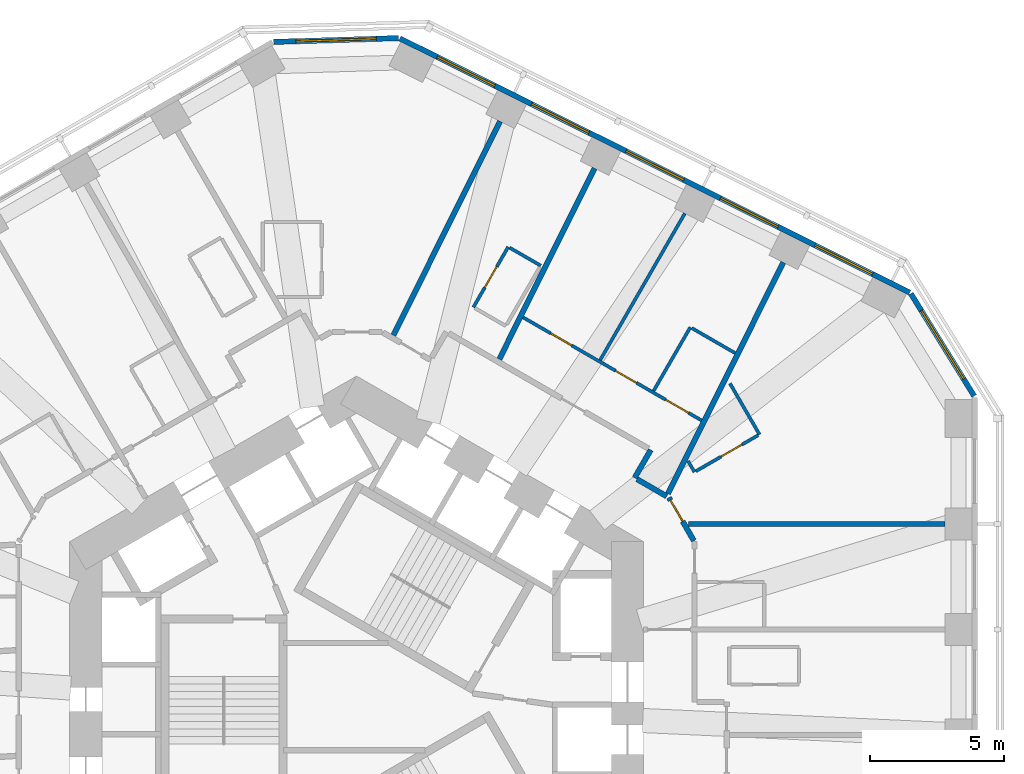
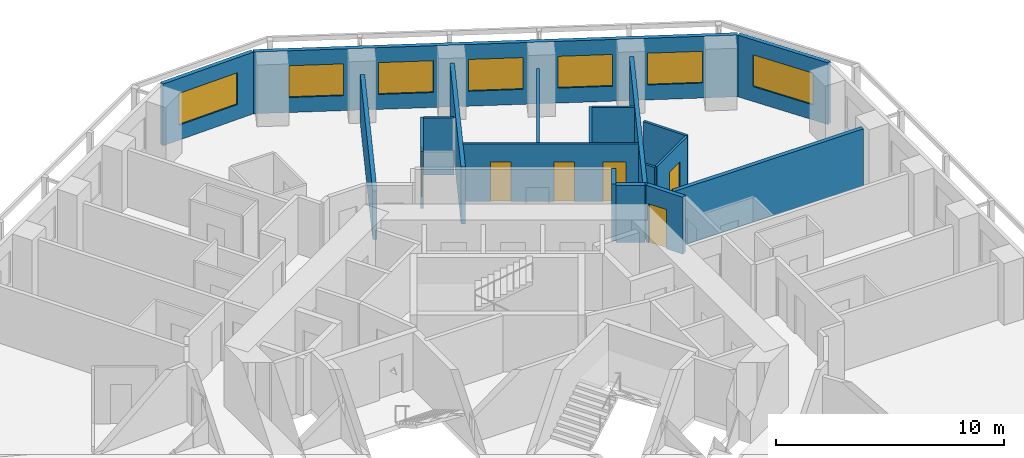
# One storey, part 9 of 12: 19 walls, 7 windows, 6 doors, 13 openings.
"""IFC4 building model written with IfcOpenShell, lengths in metres."""

from ifc_helpers import new_model, si_unit, direction, frame, frame_2d, origin, place, context, subcontext, project, spatial, rectangle, extrude, material, layer, layer_set, type_object, element, fill, save


model = new_model("IFC4")

# Units and contexts
model_context = context("Model", 3, precision=1e-05, world=origin(), true_north=direction((0.0, 1.0)))
body_context = subcontext(model_context, "Body", "Model", "MODEL_VIEW")
ifc_project = project(units=[si_unit("LENGTHUNIT", "METRE"), si_unit("AREAUNIT", "SQUARE_METRE"), si_unit("VOLUMEUNIT", "CUBIC_METRE"), si_unit("PLANEANGLEUNIT", "RADIAN"), si_unit("MASSUNIT", "GRAM", prefix="KILO")], contexts=[model_context])

# Site, building, storey
site_placement = place(None, origin())
site = spatial("IfcSite", under=ifc_project, at=site_placement, CompositionType="ELEMENT")
building_placement = place(site_placement, origin())
building = spatial("IfcBuilding", under=site, at=building_placement, Name="Vanh Sen Convention Tower", CompositionType="ELEMENT")
storey_placement = place(building_placement, frame((0.0, 0.0, 90.199951171875)))
storey = spatial("IfcBuildingStorey", under=building, at=storey_placement, Name="L20", CompositionType="ELEMENT", Elevation=90.199951171875)

# Wall, opening, door
ifc_material_1 = material(Name="Moisture-resistant gypsum board on steel studs", Category="steel")
ifc_layer_1 = layer(ifc_material_1, 0.1201171875)
ifc_layer_set_1 = layer_set([ifc_layer_1], Name="Moisture-resistant gypsum board on steel studs")
wall_type_1 = type_object("IfcWallType", Name="Bathroom partition 120", PredefinedType="PARTITIONING", material=ifc_layer_set_1)
wall_1_placement = place(storey_placement, frame((4.356201171875, 14.922119140625, 0.0), z_axis=(0.0, 0.0, 1.0), x_axis=(0.499936506574, 0.866062058628, 0.0)))
wall_1 = element("IfcWall", 1, at=wall_1_placement, inside=storey, type_object=wall_type_1, Name="Bathroom partition 120", PredefinedType="PARTITIONING", context=body_context, shape_type="SweptSolid", body=[
    extrude(rectangle(XDim=2.599853515625, YDim=0.1201171875, at=frame_2d((1.2998046875, 0.0))), origin(), (0.0, 0.0, 1.0), 3.050048828125),
])
opening_1_placement = place(wall_1_placement, frame((0.85009765625, 0.0, 0.0)))
opening_1 = element("IfcOpeningElement", 2, at=opening_1_placement, cuts=wall_1, Name="Opening D19114", PredefinedType="OPENING", context=body_context, shape_type="SweptSolid", body=[
    extrude(rectangle(XDim=0.89990234375, YDim=2.10009765625, at=frame_2d((0.449951171875, 1.050048828125))), frame((0.0, 0.070068359375, 0.0), z_axis=(0.0, -1.0, 0.0), x_axis=(1.0, 0.0, 0.0)), (0.0, 0.0, 1.0), 0.14013671875),
])
ifc_material_2 = material(Name="Laminate door in steel frame", Category="steel")
door_type_1 = type_object("IfcDoorType", Name="En-suite door 900", OperationType="SINGLE_SWING_LEFT", PredefinedType="DOOR", material=ifc_material_2)
door_1_placement = place(opening_1_placement, origin())
door_1 = element("IfcDoor", 3, at=door_1_placement, inside=storey, type_object=door_type_1, Name="En-suite door D19114", OperationType="SINGLE_SWING_LEFT", OverallHeight=2.10009765625, OverallWidth=0.89990234375, PredefinedType="DOOR", context=body_context, shape_type="SweptSolid", body=[
    extrude(rectangle(XDim=0.89990234375, YDim=2.10009765625, at=frame_2d((0.449951171875, 1.050048828125))), frame((0.0, 0.02490234375, 0.0), z_axis=(0.0, -1.0, 0.0), x_axis=(1.0, 0.0, 0.0)), (0.0, 0.0, 1.0), 0.050048828125),
])
fill(opening_1, door_1)

# Walls
wall_2_placement = place(storey_placement, frame((5.7080078125, 17.143798828125, 0.0), z_axis=(0.0, 0.0, 1.0), x_axis=(0.866082447003, -0.499901185229, 0.0)))
element("IfcWall", 4, at=wall_2_placement, inside=storey, type_object=wall_type_1, Name="Bathroom partition 120", PredefinedType="PARTITIONING", context=body_context, shape_type="SweptSolid", body=[
    extrude(rectangle(XDim=1.340087890625, YDim=0.1201171875, at=frame_2d((0.669921875, 0.0))), origin(), (0.0, 0.0, 1.0), 3.050048828125),
])
wall_3_placement = place(storey_placement, frame((12.2431640625, 18.422607421875, 0.0), z_axis=(0.0, 0.0, 1.0), x_axis=(-0.499993523031, -0.866029143232, 0.0)))
element("IfcWall", 5, at=wall_3_placement, inside=storey, type_object=wall_type_1, Name="Bathroom partition 120", PredefinedType="PARTITIONING", context=body_context, shape_type="SweptSolid", body=[
    extrude(rectangle(XDim=6.31494140625, YDim=0.1201171875, at=frame_2d((3.157470703125, 0.0))), origin(), (0.0, 0.0, 1.0), 2.60009765625),
])
wall_4_placement = place(storey_placement, frame((12.447509765625, 14.176513671875, 0.0), z_axis=(0.0, 0.0, 1.0), x_axis=(-0.500048966069, -0.865997131366, 0.0)))
element("IfcWall", 6, at=wall_4_placement, inside=storey, type_object=wall_type_1, Name="Bathroom partition 120", PredefinedType="PARTITIONING", context=body_context, shape_type="SweptSolid", body=[
    extrude(rectangle(XDim=2.739990234375, YDim=0.1201171875, at=frame_2d((1.3701171875, 0.0))), origin(), (0.0, 0.0, 1.0), 3.050048828125),
])
wall_5_placement = place(storey_placement, frame((12.600830078125, 8.776123046875, 0.0), z_axis=(0.0, 0.0, 1.0), x_axis=(-0.500166486798, 0.865929261247, 0.0)))
element("IfcWall", 7, at=wall_5_placement, inside=storey, type_object=wall_type_1, Name="Bathroom partition 120", PredefinedType="PARTITIONING", context=body_context, shape_type="SweptSolid", body=[
    extrude(rectangle(XDim=0.475830078125, YDim=0.1201171875, at=frame_2d((0.23779296875, 0.0))), origin(), (0.0, 0.0, 1.0), 3.050048828125),
])

# Wall, openings, doors
wall_6_placement = place(storey_placement, frame((12.8662109375, 10.70166015625, 0.0), z_axis=(0.0, 0.0, 1.0), x_axis=(-0.866023151433, 0.500003901167, 0.0)))
wall_6 = element("IfcWall", 8, at=wall_6_placement, inside=storey, type_object=wall_type_1, Name="Bathroom partition 120", PredefinedType="PARTITIONING", context=body_context, shape_type="SweptSolid", body=[
    extrude(rectangle(XDim=7.68408203125, YDim=0.1201171875, at=frame_2d((3.842041015625, 0.0))), origin(), (0.0, 0.0, 1.0), 3.050048828125),
])
opening_2_placement = place(wall_6_placement, frame((0.550048828125, 0.0, 0.0)))
opening_2 = element("IfcOpeningElement", 9, at=opening_2_placement, cuts=wall_6, Name="Opening D19110", PredefinedType="OPENING", context=body_context, shape_type="SweptSolid", body=[
    extrude(rectangle(XDim=1.0, YDim=2.10009765625, at=frame_2d((0.5, 1.050048828125))), frame((0.0, 0.070068359375, 0.0), z_axis=(0.0, -1.0, 0.0), x_axis=(1.0, 0.0, 0.0)), (0.0, 0.0, 1.0), 0.14013671875),
])
opening_3_placement = place(wall_6_placement, frame((2.800048828125, 0.0, 0.0)))
opening_3 = element("IfcOpeningElement", 10, at=opening_3_placement, cuts=wall_6, Name="Opening D19111", PredefinedType="OPENING", context=body_context, shape_type="SweptSolid", body=[
    extrude(rectangle(XDim=0.89990234375, YDim=2.10009765625, at=frame_2d((0.449951171875, 1.050048828125))), frame((0.0, 0.070068359375, 0.0), z_axis=(0.0, -1.0, 0.0), x_axis=(1.0, 0.0, 0.0)), (0.0, 0.0, 1.0), 0.14013671875),
])
opening_4_placement = place(wall_6_placement, frame((5.592041015625, 0.0, 0.0)))
opening_4 = element("IfcOpeningElement", 11, at=opening_4_placement, cuts=wall_6, Name="Opening D19112", PredefinedType="OPENING", context=body_context, shape_type="SweptSolid", body=[
    extrude(rectangle(XDim=0.89990234375, YDim=2.10009765625, at=frame_2d((0.449951171875, 1.050048828125))), frame((0.0, 0.070068359375, 0.0), z_axis=(0.0, -1.0, 0.0), x_axis=(1.0, 0.0, 0.0)), (0.0, 0.0, 1.0), 0.14013671875),
])
door_type_2 = type_object("IfcDoorType", Name="Accessible WC door 1000", OperationType="SINGLE_SWING_LEFT", PredefinedType="DOOR", material=ifc_material_2)
door_2_placement = place(opening_2_placement, origin())
door_2 = element("IfcDoor", 12, at=door_2_placement, inside=storey, type_object=door_type_2, Name="Accessible WC door D19110", OperationType="SINGLE_SWING_LEFT", OverallHeight=2.10009765625, OverallWidth=1.0, PredefinedType="DOOR", context=body_context, shape_type="SweptSolid", body=[
    extrude(rectangle(XDim=1.0, YDim=2.10009765625, at=frame_2d((0.5, 1.050048828125))), frame((0.0, 0.02490234375, 0.0), z_axis=(0.0, -1.0, 0.0), x_axis=(1.0, 0.0, 0.0)), (0.0, 0.0, 1.0), 0.050048828125),
])
fill(opening_2, door_2)
door_type_3 = type_object("IfcDoorType", Name="Room internal door 900", OperationType="SINGLE_SWING_LEFT", PredefinedType="DOOR", material=ifc_material_2)
door_3_placement = place(opening_3_placement, origin())
door_3 = element("IfcDoor", 13, at=door_3_placement, inside=storey, type_object=door_type_3, Name="Internal room door D19111", OperationType="SINGLE_SWING_LEFT", OverallHeight=2.10009765625, OverallWidth=0.89990234375, PredefinedType="DOOR", context=body_context, shape_type="SweptSolid", body=[
    extrude(rectangle(XDim=0.89990234375, YDim=2.10009765625, at=frame_2d((0.449951171875, 1.050048828125))), frame((0.0, 0.02490234375, 0.0), z_axis=(0.0, -1.0, 0.0), x_axis=(1.0, 0.0, 0.0)), (0.0, 0.0, 1.0), 0.050048828125),
])
fill(opening_3, door_3)
door_4_placement = place(opening_4_placement, origin())
door_4 = element("IfcDoor", 14, at=door_4_placement, inside=storey, type_object=door_type_3, Name="Internal room door D19112", OperationType="SINGLE_SWING_LEFT", OverallHeight=2.10009765625, OverallWidth=0.89990234375, PredefinedType="DOOR", context=body_context, shape_type="SweptSolid", body=[
    extrude(rectangle(XDim=0.89990234375, YDim=2.10009765625, at=frame_2d((0.449951171875, 1.050048828125))), frame((0.0, 0.02490234375, 0.0), z_axis=(0.0, -1.0, 0.0), x_axis=(1.0, 0.0, 0.0)), (0.0, 0.0, 1.0), 0.050048828125),
])
fill(opening_4, door_4)

# Walls
wall_7_placement = place(storey_placement, frame((13.92578125, 12.081298828125, 0.0), z_axis=(0.0, 0.0, 1.0), x_axis=(0.499994660107, -0.866028486751, 0.0)))
element("IfcWall", 15, at=wall_7_placement, inside=storey, type_object=wall_type_1, Name="Bathroom partition 120", PredefinedType="PARTITIONING", context=body_context, shape_type="SweptSolid", body=[
    extrude(rectangle(XDim=2.19970703125, YDim=0.1201171875, at=frame_2d((1.099853515625, 0.0))), origin(), (0.0, 0.0, 1.0), 3.050048828125),
])
wall_8_placement = place(storey_placement, frame((14.117919921875, 13.212158203125, 0.0), z_axis=(0.0, 0.0, 1.0), x_axis=(-0.866039825209, 0.499975020527, 0.0)))
element("IfcWall", 16, at=wall_8_placement, inside=storey, type_object=wall_type_1, Name="Bathroom partition 120", PredefinedType="PARTITIONING", context=body_context, shape_type="SweptSolid", body=[
    extrude(rectangle(XDim=1.86865234375, YDim=0.1201171875, at=frame_2d((0.934326171875, 0.0))), origin(), (0.0, 0.0, 1.0), 3.050048828125),
])

# Wall, opening, door
wall_9_placement = place(storey_placement, frame((14.9736328125, 10.146240234375, 0.0), z_axis=(0.0, 0.0, 1.0), x_axis=(-0.86599746015, -0.500048396672, 0.0)))
wall_9 = element("IfcWall", 17, at=wall_9_placement, inside=storey, type_object=wall_type_1, Name="Bathroom partition 120", PredefinedType="PARTITIONING", context=body_context, shape_type="SweptSolid", body=[
    extrude(rectangle(XDim=2.679931640625, YDim=0.1201171875, at=frame_2d((1.33984375, 0.0))), origin(), (0.0, 0.0, 1.0), 3.050048828125),
])
opening_5_placement = place(wall_9_placement, frame((0.68994140625, 0.0, 0.0)))
opening_5 = element("IfcOpeningElement", 18, at=opening_5_placement, cuts=wall_9, Name="Opening D19108", PredefinedType="OPENING", context=body_context, shape_type="SweptSolid", body=[
    extrude(rectangle(XDim=0.89990234375, YDim=2.10009765625, at=frame_2d((0.449951171875, 1.050048828125))), frame((0.0, 0.070068359375, 0.0), z_axis=(0.0, -1.0, 0.0), x_axis=(1.0, 0.0, 0.0)), (0.0, 0.0, 1.0), 0.14013671875),
])
door_5_placement = place(opening_5_placement, origin())
door_5 = element("IfcDoor", 19, at=door_5_placement, inside=storey, type_object=door_type_1, Name="En-suite door D19108", OperationType="SINGLE_SWING_LEFT", OverallHeight=2.10009765625, OverallWidth=0.89990234375, PredefinedType="DOOR", context=body_context, shape_type="SweptSolid", body=[
    extrude(rectangle(XDim=0.89990234375, YDim=2.10009765625, at=frame_2d((0.449951171875, 1.050048828125))), frame((0.0, 0.02490234375, 0.0), z_axis=(0.0, -1.0, 0.0), x_axis=(1.0, 0.0, 0.0)), (0.0, 0.0, 1.0), 0.050048828125),
])
fill(opening_5, door_5)

# Walls
ifc_material_3 = material(Name="Gypsum board on steel studs with mineral wool", Category="steel")
ifc_layer_2 = layer(ifc_material_3, 0.199951171875)
ifc_layer_set_2 = layer_set([ifc_layer_2], Name="Gypsum board on steel studs with mineral wool")
wall_type_2 = type_object("IfcWallType", Name="Corridor partition wall 200", PredefinedType="PARTITIONING", material=ifc_layer_set_2)
wall_10_placement = place(storey_placement, frame((10.37109375, 8.561279296875, 0.0), z_axis=(0.0, 0.0, 1.0), x_axis=(0.499986357472, 0.866033280158, 0.0)))
element("IfcWall", 20, at=wall_10_placement, inside=storey, type_object=wall_type_2, Name="Corridor partition wall 200", PredefinedType="PARTITIONING", context=body_context, shape_type="SweptSolid", body=[
    extrude(rectangle(XDim=1.201171875, YDim=0.199951171875, at=frame_2d((0.6005859375, 0.0))), origin(), (0.0, 0.0, 1.0), 3.050048828125),
])
wall_11_placement = place(storey_placement, frame((11.56640625, 7.871337890625, 0.0), z_axis=(0.0, 0.0, 1.0), x_axis=(-0.866004557827, 0.500036104519, 0.0)))
element("IfcWall", 21, at=wall_11_placement, inside=storey, type_object=wall_type_2, Name="Corridor partition wall 200", PredefinedType="PARTITIONING", context=body_context, shape_type="SweptSolid", body=[
    extrude(rectangle(XDim=1.2802734375, YDim=0.199951171875, at=frame_2d((0.64013671875, 0.0))), origin(), (0.0, 0.0, 1.0), 3.050048828125),
])

# Wall, opening, door
wall_12_placement = place(storey_placement, frame((12.580078125, 6.212158203125, 0.0), z_axis=(0.0, 0.0, 1.0), x_axis=(-0.500063286585, 0.865988862174, 0.0)))
wall_12 = element("IfcWall", 22, at=wall_12_placement, inside=storey, type_object=wall_type_2, Name="Corridor partition wall 200", PredefinedType="PARTITIONING", context=body_context, shape_type="SweptSolid", body=[
    extrude(rectangle(XDim=1.860107421875, YDim=0.199951171875, at=frame_2d((0.93017578125, 0.0))), origin(), (0.0, 0.0, 1.0), 3.050048828125),
])
opening_6_placement = place(wall_12_placement, frame((0.841796875, 0.0, 0.0)))
opening_6 = element("IfcOpeningElement", 23, at=opening_6_placement, cuts=wall_12, Name="Opening D19107", PredefinedType="OPENING", context=body_context, shape_type="SweptSolid", body=[
    extrude(rectangle(XDim=0.89990234375, YDim=2.10009765625, at=frame_2d((0.449951171875, 1.050048828125))), frame((0.0, 0.10986328125, 0.0), z_axis=(0.0, -1.0, 0.0), x_axis=(1.0, 0.0, 0.0)), (0.0, 0.0, 1.0), 0.219970703125),
])
ifc_material_4 = material(Name="Timber fire door in steel frame", Category="steel")
door_type_4 = type_object("IfcDoorType", Name="Guest room door 900", OperationType="SINGLE_SWING_LEFT", PredefinedType="DOOR", material=ifc_material_4)
door_6_placement = place(opening_6_placement, origin())
door_6 = element("IfcDoor", 24, at=door_6_placement, inside=storey, type_object=door_type_4, Name="Hotel guest room door D19107", OperationType="SINGLE_SWING_LEFT", OverallHeight=2.10009765625, OverallWidth=0.89990234375, PredefinedType="DOOR", context=body_context, shape_type="SweptSolid", body=[
    extrude(rectangle(XDim=0.89990234375, YDim=2.10009765625, at=frame_2d((0.449951171875, 1.050048828125))), frame((0.0, 0.02490234375, 0.0), z_axis=(0.0, -1.0, 0.0), x_axis=(1.0, 0.0, 0.0)), (0.0, 0.0, 1.0), 0.050048828125),
])
fill(opening_6, door_6)

# Wall, opening, window
ifc_material_5 = material(Name="Insulated lightweight infill wall")
ifc_layer_3 = layer(ifc_material_5, 0.199951171875)
ifc_layer_set_3 = layer_set([ifc_layer_3], Name="Insulated lightweight infill wall")
wall_type_3 = type_object("IfcWallType", Name="External wall 200", PredefinedType="STANDARD", material=ifc_layer_set_3)
wall_13_placement = place(storey_placement, frame((23.034912109375, 11.612060546875, 0.0), z_axis=(0.0, 0.0, 1.0), x_axis=(-0.526160091227, 0.850385535155, 0.0)))
wall_13 = element("IfcWall", 25, at=wall_13_placement, inside=storey, type_object=wall_type_3, Name="External wall CH1 L20", PredefinedType="STANDARD", context=body_context, shape_type="SweptSolid", body=[
    extrude(rectangle(XDim=4.493896484375, YDim=0.199951171875, at=frame_2d((2.2470703125, 0.0))), origin(), (0.0, 0.0, 1.0), 3.300048828125),
])
opening_7_placement = place(wall_13_placement, frame((0.746826171875, 0.0, 0.800048828125)))
opening_7 = element("IfcOpeningElement", 26, at=opening_7_placement, cuts=wall_13, Name="Opening WH2-CH11", PredefinedType="OPENING", context=body_context, shape_type="SweptSolid", body=[
    extrude(rectangle(XDim=3.0, YDim=1.699951171875, at=frame_2d((1.5, 0.85009765625))), frame((0.0, 0.10986328125, 0.0), z_axis=(0.0, -1.0, 0.0), x_axis=(1.0, 0.0, 0.0)), (0.0, 0.0, 1.0), 0.219970703125),
])
ifc_material_6 = material(Name="Aluminium frame with clear low-emissivity glass", Category="aluminium")
window_type_1 = type_object("IfcWindowType", Name="Hotel window 3000 x 1700", PartitioningType="SINGLE_PANEL", PredefinedType="WINDOW", material=ifc_material_6)
window_1_placement = place(opening_7_placement, origin())
window_1 = element("IfcWindow", 27, at=window_1_placement, inside=storey, type_object=window_type_1, Name="Window WH2-CH11", OverallHeight=1.699951171875, OverallWidth=3.0, PartitioningType="SINGLE_PANEL", PredefinedType="WINDOW", context=body_context, shape_type="SweptSolid", body=[
    extrude(rectangle(XDim=3.0, YDim=1.699951171875, at=frame_2d((1.5, 0.85009765625))), frame((0.0, 0.030029296875, 0.0), z_axis=(0.0, -1.0, 0.0), x_axis=(1.0, 0.0, 0.0)), (0.0, 0.0, 1.0), 0.06005859375),
])
fill(opening_7, window_1)

# Wall, openings, windows
wall_14_placement = place(storey_placement, frame((20.6298828125, 15.470458984375, 0.0), z_axis=(0.0, 0.0, 1.0), x_axis=(-0.894934518609, 0.446197498203, 0.0)))
wall_14 = element("IfcWall", 28, at=wall_14_placement, inside=storey, type_object=wall_type_3, Name="External wall NE L20", PredefinedType="STANDARD", context=body_context, shape_type="SweptSolid", body=[
    extrude(rectangle(XDim=21.24609375, YDim=0.199951171875, at=frame_2d((10.623046875, 0.0))), origin(), (0.0, 0.0, 1.0), 3.300048828125),
])
opening_8_placement = place(wall_14_placement, frame((1.552978515625, 0.0, 0.800048828125)))
opening_8 = element("IfcOpeningElement", 29, at=opening_8_placement, cuts=wall_14, Name="Opening WH1-NE1", PredefinedType="OPENING", context=body_context, shape_type="SweptSolid", body=[
    extrude(rectangle(XDim=2.39990234375, YDim=1.699951171875, at=frame_2d((1.199951171875, 0.85009765625))), frame((0.0, 0.10986328125, 0.0), z_axis=(0.0, -1.0, 0.0), x_axis=(1.0, 0.0, 0.0)), (0.0, 0.0, 1.0), 0.219970703125),
])
opening_9_placement = place(wall_14_placement, frame((5.48779296875, 0.0, 0.800048828125)))
opening_9 = element("IfcOpeningElement", 30, at=opening_9_placement, cuts=wall_14, Name="Opening WH1-NE2", PredefinedType="OPENING", context=body_context, shape_type="SweptSolid", body=[
    extrude(rectangle(XDim=2.39990234375, YDim=1.699951171875, at=frame_2d((1.199951171875, 0.85009765625))), frame((0.0, 0.10986328125, 0.0), z_axis=(0.0, -1.0, 0.0), x_axis=(1.0, 0.0, 0.0)), (0.0, 0.0, 1.0), 0.219970703125),
])
opening_10_placement = place(wall_14_placement, frame((9.42236328125, 0.0, 0.800048828125)))
opening_10 = element("IfcOpeningElement", 31, at=opening_10_placement, cuts=wall_14, Name="Opening WH1-NE3", PredefinedType="OPENING", context=body_context, shape_type="SweptSolid", body=[
    extrude(rectangle(XDim=2.39990234375, YDim=1.699951171875, at=frame_2d((1.199951171875, 0.85009765625))), frame((0.0, 0.10986328125, 0.0), z_axis=(0.0, -1.0, 0.0), x_axis=(1.0, 0.0, 0.0)), (0.0, 0.0, 1.0), 0.219970703125),
])
opening_11_placement = place(wall_14_placement, frame((13.35693359375, 0.0, 0.800048828125)))
opening_11 = element("IfcOpeningElement", 32, at=opening_11_placement, cuts=wall_14, Name="Opening WH1-NE4", PredefinedType="OPENING", context=body_context, shape_type="SweptSolid", body=[
    extrude(rectangle(XDim=2.39990234375, YDim=1.699951171875, at=frame_2d((1.199951171875, 0.85009765625))), frame((0.0, 0.10986328125, 0.0), z_axis=(0.0, -1.0, 0.0), x_axis=(1.0, 0.0, 0.0)), (0.0, 0.0, 1.0), 0.219970703125),
])
opening_12_placement = place(wall_14_placement, frame((17.29150390625, 0.0, 0.800048828125)))
opening_12 = element("IfcOpeningElement", 33, at=opening_12_placement, cuts=wall_14, Name="Opening WH1-NE5", PredefinedType="OPENING", context=body_context, shape_type="SweptSolid", body=[
    extrude(rectangle(XDim=2.39990234375, YDim=1.699951171875, at=frame_2d((1.199951171875, 0.85009765625))), frame((0.0, 0.10986328125, 0.0), z_axis=(0.0, -1.0, 0.0), x_axis=(1.0, 0.0, 0.0)), (0.0, 0.0, 1.0), 0.219970703125),
])
window_type_2 = type_object("IfcWindowType", Name="Hotel window 2400 x 1700", PartitioningType="SINGLE_PANEL", PredefinedType="WINDOW", material=ifc_material_6)
window_2_placement = place(opening_8_placement, origin())
window_2 = element("IfcWindow", 34, at=window_2_placement, inside=storey, type_object=window_type_2, Name="Window WH1-NE1", OverallHeight=1.699951171875, OverallWidth=2.39990234375, PartitioningType="SINGLE_PANEL", PredefinedType="WINDOW", context=body_context, shape_type="SweptSolid", body=[
    extrude(rectangle(XDim=2.39990234375, YDim=1.699951171875, at=frame_2d((1.199951171875, 0.85009765625))), frame((0.0, 0.030029296875, 0.0), z_axis=(0.0, -1.0, 0.0), x_axis=(1.0, 0.0, 0.0)), (0.0, 0.0, 1.0), 0.06005859375),
])
fill(opening_8, window_2)
window_3_placement = place(opening_9_placement, origin())
window_3 = element("IfcWindow", 35, at=window_3_placement, inside=storey, type_object=window_type_2, Name="Window WH1-NE2", OverallHeight=1.699951171875, OverallWidth=2.39990234375, PartitioningType="SINGLE_PANEL", PredefinedType="WINDOW", context=body_context, shape_type="SweptSolid", body=[
    extrude(rectangle(XDim=2.39990234375, YDim=1.699951171875, at=frame_2d((1.199951171875, 0.85009765625))), frame((0.0, 0.030029296875, 0.0), z_axis=(0.0, -1.0, 0.0), x_axis=(1.0, 0.0, 0.0)), (0.0, 0.0, 1.0), 0.06005859375),
])
fill(opening_9, window_3)
window_4_placement = place(opening_10_placement, origin())
window_4 = element("IfcWindow", 36, at=window_4_placement, inside=storey, type_object=window_type_2, Name="Window WH1-NE3", OverallHeight=1.699951171875, OverallWidth=2.39990234375, PartitioningType="SINGLE_PANEL", PredefinedType="WINDOW", context=body_context, shape_type="SweptSolid", body=[
    extrude(rectangle(XDim=2.39990234375, YDim=1.699951171875, at=frame_2d((1.199951171875, 0.85009765625))), frame((0.0, 0.030029296875, 0.0), z_axis=(0.0, -1.0, 0.0), x_axis=(1.0, 0.0, 0.0)), (0.0, 0.0, 1.0), 0.06005859375),
])
fill(opening_10, window_4)
window_5_placement = place(opening_11_placement, origin())
window_5 = element("IfcWindow", 37, at=window_5_placement, inside=storey, type_object=window_type_2, Name="Window WH1-NE4", OverallHeight=1.699951171875, OverallWidth=2.39990234375, PartitioningType="SINGLE_PANEL", PredefinedType="WINDOW", context=body_context, shape_type="SweptSolid", body=[
    extrude(rectangle(XDim=2.39990234375, YDim=1.699951171875, at=frame_2d((1.199951171875, 0.85009765625))), frame((0.0, 0.030029296875, 0.0), z_axis=(0.0, -1.0, 0.0), x_axis=(1.0, 0.0, 0.0)), (0.0, 0.0, 1.0), 0.06005859375),
])
fill(opening_11, window_5)
window_6_placement = place(opening_12_placement, origin())
window_6 = element("IfcWindow", 38, at=window_6_placement, inside=storey, type_object=window_type_2, Name="Window WH1-NE5", OverallHeight=1.699951171875, OverallWidth=2.39990234375, PartitioningType="SINGLE_PANEL", PredefinedType="WINDOW", context=body_context, shape_type="SweptSolid", body=[
    extrude(rectangle(XDim=2.39990234375, YDim=1.699951171875, at=frame_2d((1.199951171875, 0.85009765625))), frame((0.0, 0.030029296875, 0.0), z_axis=(0.0, -1.0, 0.0), x_axis=(1.0, 0.0, 0.0)), (0.0, 0.0, 1.0), 0.06005859375),
])
fill(opening_12, window_6)

# Wall, opening, window
wall_15_placement = place(storey_placement, frame((1.568359375, 24.9609375, 0.0), z_axis=(0.0, 0.0, 1.0), x_axis=(-0.999533359013, -0.030546099927, 0.0)))
wall_15 = element("IfcWall", 39, at=wall_15_placement, inside=storey, type_object=wall_type_3, Name="External wall CH2 L20", PredefinedType="STANDARD", context=body_context, shape_type="SweptSolid", body=[
    extrude(rectangle(XDim=4.65966796875, YDim=0.199951171875, at=frame_2d((2.329833984375, 0.0))), origin(), (0.0, 0.0, 1.0), 3.300048828125),
])
opening_13_placement = place(wall_15_placement, frame((0.829833984375, 0.0, 0.800048828125)))
opening_13 = element("IfcOpeningElement", 40, at=opening_13_placement, cuts=wall_15, Name="Opening WH2-CH21", PredefinedType="OPENING", context=body_context, shape_type="SweptSolid", body=[
    extrude(rectangle(XDim=3.0, YDim=1.699951171875, at=frame_2d((1.5, 0.85009765625))), frame((0.0, 0.10986328125, 0.0), z_axis=(0.0, -1.0, 0.0), x_axis=(1.0, 0.0, 0.0)), (0.0, 0.0, 1.0), 0.219970703125),
])
window_7_placement = place(opening_13_placement, origin())
window_7 = element("IfcWindow", 41, at=window_7_placement, inside=storey, type_object=window_type_1, Name="Window WH2-CH21", OverallHeight=1.699951171875, OverallWidth=3.0, PartitioningType="SINGLE_PANEL", PredefinedType="WINDOW", context=body_context, shape_type="SweptSolid", body=[
    extrude(rectangle(XDim=3.0, YDim=1.699951171875, at=frame_2d((1.5, 0.85009765625))), frame((0.0, 0.030029296875, 0.0), z_axis=(0.0, -1.0, 0.0), x_axis=(1.0, 0.0, 0.0)), (0.0, 0.0, 1.0), 0.06005859375),
])
fill(opening_13, window_7)

# Walls
ifc_layer_4 = layer(ifc_material_3, 0.199951171875)
ifc_layer_set_4 = layer_set([ifc_layer_4], Name="Gypsum board on steel studs with mineral wool")
wall_type_4 = type_object("IfcWallType", Name="Hotel party wall 200", PredefinedType="PARTITIONING", material=ifc_layer_set_4)
wall_16_placement = place(storey_placement, frame((5.35107421875, 21.859130859375, 0.0), z_axis=(0.0, 0.0, 1.0), x_axis=(-0.446205309328, -0.894930624086, 0.0)))
element("IfcWall", 42, at=wall_16_placement, inside=storey, type_object=wall_type_4, Name="Hotel party wall 200", PredefinedType="PARTITIONING", context=body_context, shape_type="SweptSolid", body=[
    extrude(rectangle(XDim=8.9130859375, YDim=0.199951171875, at=frame_2d((4.45654296875, 0.0))), origin(), (0.0, 0.0, 1.0), 2.60009765625),
])
wall_17_placement = place(storey_placement, frame((8.872314453125, 20.103515625, 0.0), z_axis=(0.0, 0.0, 1.0), x_axis=(-0.446218378653, -0.894924107706, 0.0)))
element("IfcWall", 43, at=wall_17_placement, inside=storey, type_object=wall_type_4, Name="Hotel party wall 200", PredefinedType="PARTITIONING", context=body_context, shape_type="SweptSolid", body=[
    extrude(rectangle(XDim=7.950439453125, YDim=0.199951171875, at=frame_2d((3.97509765625, 0.0))), origin(), (0.0, 0.0, 1.0), 3.050048828125),
])
wall_18_placement = place(storey_placement, frame((15.91455078125, 16.59228515625, 0.0), z_axis=(0.0, 0.0, 1.0), x_axis=(-0.446199736347, -0.894933402709, 0.0)))
element("IfcWall", 44, at=wall_18_placement, inside=storey, type_object=wall_type_4, Name="Hotel party wall 200", PredefinedType="PARTITIONING", context=body_context, shape_type="SweptSolid", body=[
    extrude(rectangle(XDim=9.634765625, YDim=0.199951171875, at=frame_2d((4.8173828125, 0.0))), origin(), (0.0, 0.0, 1.0), 3.050048828125),
])
wall_19_placement = place(storey_placement, frame((21.949951171875, 6.839111328125, 0.0), z_axis=(0.0, 0.0, 1.0), x_axis=(-1.0, 0.0, 0.0)))
element("IfcWall", 45, at=wall_19_placement, inside=storey, type_object=wall_type_4, Name="Hotel party wall 200", PredefinedType="PARTITIONING", context=body_context, shape_type="SweptSolid", body=[
    extrude(rectangle(XDim=9.57177734375, YDim=0.199951171875, at=frame_2d((4.785888671875, 0.0))), origin(), (0.0, 0.0, 1.0), 3.050048828125),
])

save(model, "model.ifc")
